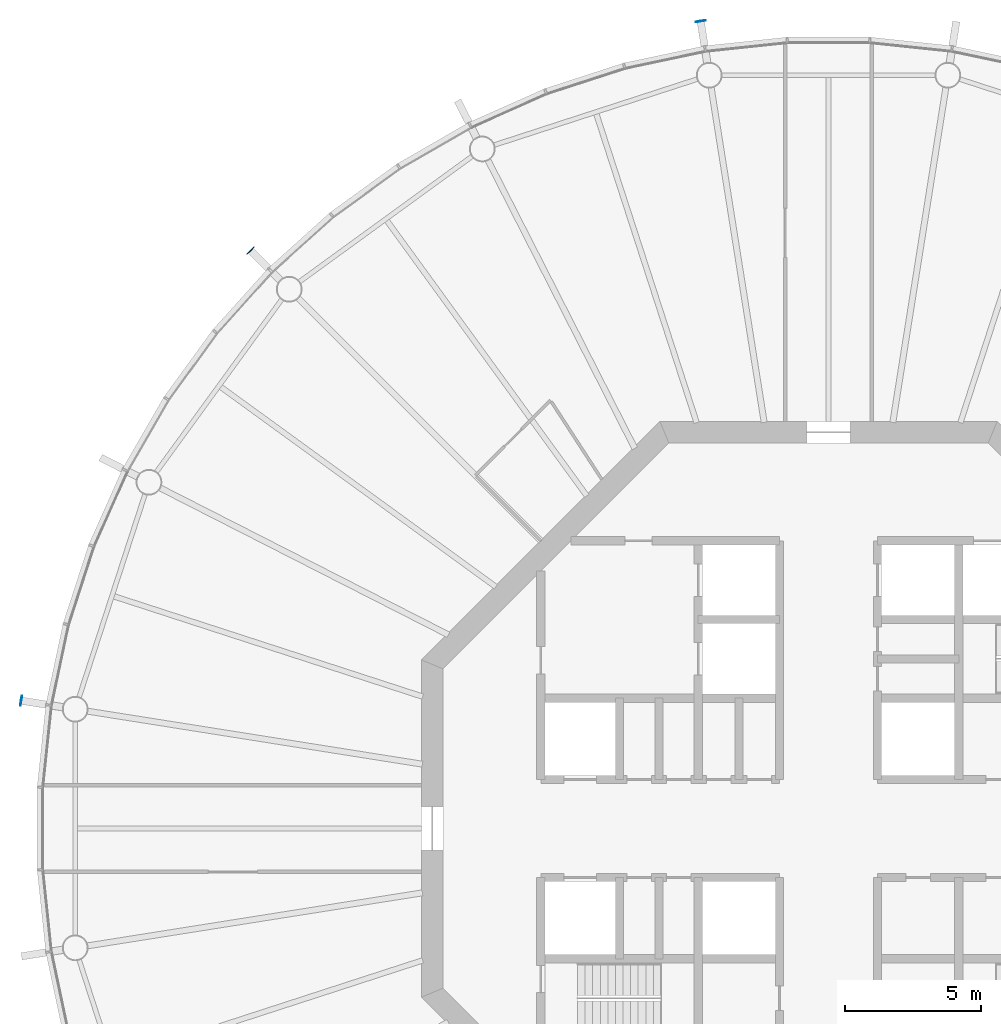
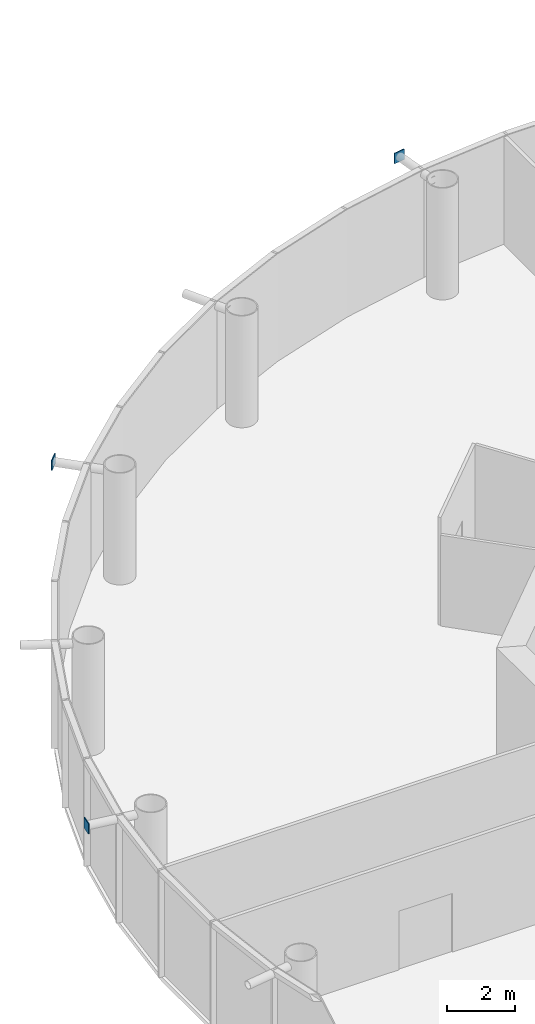
# One storey, part 8 of 16: 3 discrete accessories.
"""IFC4 building model written with IfcOpenShell, lengths in metres."""

from ifc_helpers import new_model, si_unit, direction, frame, origin, origin_2d, place, context, subcontext, project, spatial, rectangle, extrude, material, element, save


model = new_model("IFC4")

# Units and contexts
model_context = context("Model", 3, precision=1e-05, world=origin(), true_north=direction((0.0, 1.0)))
body_context = subcontext(model_context, "Body", "Model", "MODEL_VIEW")
ifc_project = project(units=[si_unit("LENGTHUNIT", "METRE"), si_unit("AREAUNIT", "SQUARE_METRE"), si_unit("VOLUMEUNIT", "CUBIC_METRE"), si_unit("PLANEANGLEUNIT", "RADIAN"), si_unit("MASSUNIT", "GRAM", prefix="KILO")], contexts=[model_context])

# Site, building, storey
site_placement = place(None, origin())
site = spatial("IfcSite", under=ifc_project, at=site_placement, CompositionType="ELEMENT")
building_placement = place(site_placement, origin())
building = spatial("IfcBuilding", under=site, at=building_placement, Name="Entoto Ring Tower", CompositionType="ELEMENT")
storey_placement = place(building_placement, frame((0.0, 0.0, 326.0)))
storey = spatial("IfcBuildingStorey", under=building, at=storey_placement, Name="L75", CompositionType="ELEMENT", Elevation=326.0)

# Discrete accessories
ifc_material = material(Name="Steel S355", Category="steel")
for number, where, z_axis, x_axis, name in (
    (1, (85.2890625, 109.744140625, 3.52685546875), (0.0, 0.0, 1.0), (-0.15643446504, 0.987688340595, 0.0), "Node strut end plate DS2 ring 24 06"),
    (2, (68.70556640625, 101.29443359375, 3.52685546875), (0.0, 0.0, 1.0), (-0.707106781187, 0.707106781187, 0.0), "Node strut end plate DS2 ring 24 08"),
    (3, (60.255859375, 84.7109375, 3.52685546875), (0.0, 0.0, 1.0), (-0.987688340595, 0.15643446504, 0.0), "Node strut end plate DS2 ring 24 10"),
):
    element("IfcDiscreteAccessory", number, at=place(storey_placement, frame(where, z_axis=z_axis, x_axis=x_axis)), inside=storey, material=ifc_material, Name=name, PredefinedType="BRACKET", context=body_context, shape_type="SweptSolid", body=[
        extrude(rectangle(XDim=0.030029296875, YDim=0.373046875, at=origin_2d()), origin(), (0.0, 0.0, 1.0), 0.373046875),
    ])

save(model, "model.ifc")
